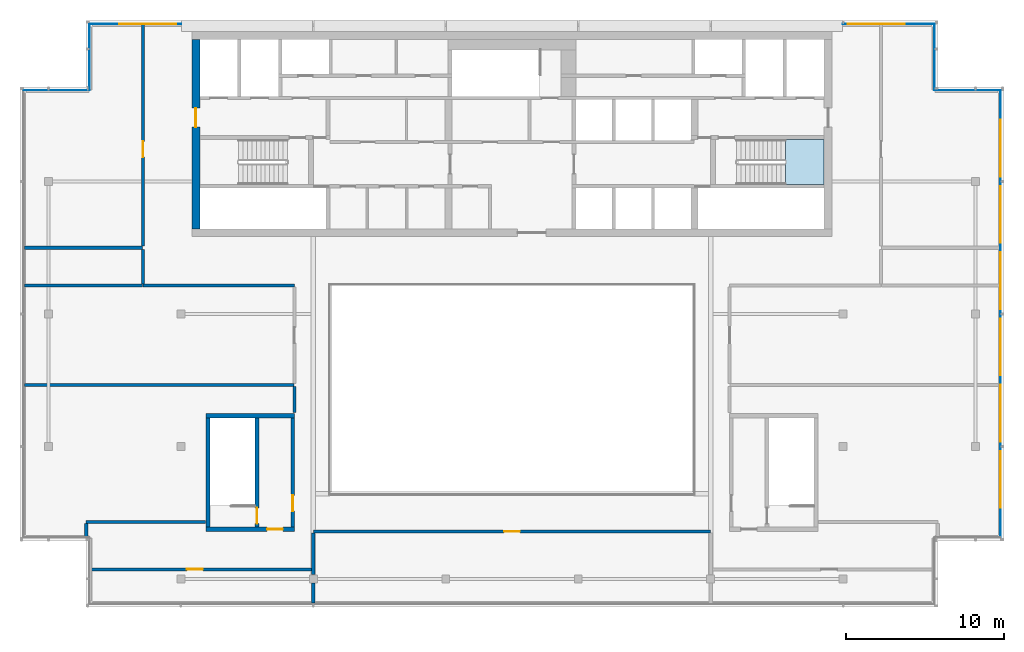
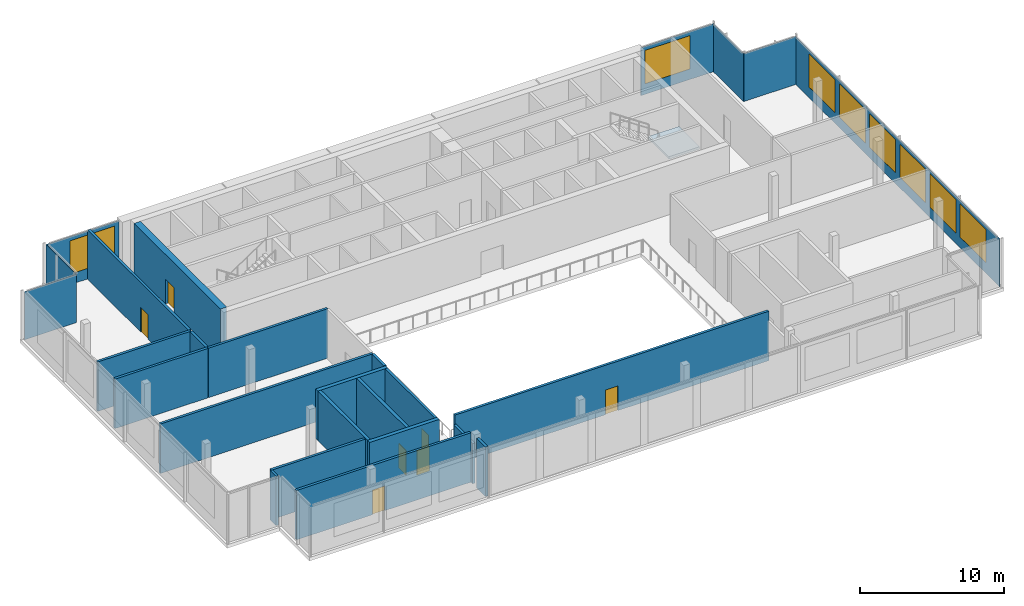
# One storey, part 10 of 14: 19 walls, 8 windows, 7 doors, 7 plates, 1 slab, 15 openings, 7 elements without a shape of their own.
"""IFC4 building model written with IfcOpenShell, lengths in metres."""

from ifc_helpers import new_model, si_unit, direction, frame, frame_2d, origin, place, context, subcontext, project, spatial, polyline, rectangle, outline, extrude, material, layer, layer_set, type_object, element, fill, aggregate, save


model = new_model("IFC4")

# Units and contexts
model_context = context("Model", 3, precision=1e-05, world=origin(), true_north=direction((0.0, 1.0)))
body_context = subcontext(model_context, "Body", "Model", "MODEL_VIEW")
ifc_project = project(units=[si_unit("LENGTHUNIT", "METRE"), si_unit("AREAUNIT", "SQUARE_METRE"), si_unit("VOLUMEUNIT", "CUBIC_METRE"), si_unit("PLANEANGLEUNIT", "RADIAN"), si_unit("MASSUNIT", "GRAM", prefix="KILO")], contexts=[model_context])

# Site, building, storey
site_placement = place(None, origin())
site = spatial("IfcSite", under=ifc_project, at=site_placement, CompositionType="ELEMENT")
building_placement = place(site_placement, origin())
building = spatial("IfcBuilding", under=site, at=building_placement, Name="Saffron Gate Tower", CompositionType="ELEMENT")
storey_placement = place(building_placement, frame((0.0, 0.0, 310.35009765625)))
storey = spatial("IfcBuildingStorey", under=building, at=storey_placement, Name="L76", CompositionType="ELEMENT", Elevation=310.35009765625)

# Curtain wall, plate, openings, windows
ifc_material_1 = material(Name="Aluminium, bronze anodised", Category="aluminium")
curtain_wall_type = type_object("IfcCurtainWallType", Name="CWS6 curtain wall tall storeys", PredefinedType="NOTDEFINED", material=ifc_material_1)
curtain_wall_1_placement = place(storey_placement, origin())
curtain_wall_1 = element("IfcCurtainWall", 1, at=curtain_wall_1_placement, inside=storey, type_object=curtain_wall_type, Name="CWS6 run 4", PredefinedType="NOTDEFINED")
ifc_material_2 = material(Name="Fritted bronze-tinted laminated glass", Category="glass")
ifc_layer_1 = layer(ifc_material_2, 0.028076171875)
ifc_layer_set_1 = layer_set([ifc_layer_1], Name="CWS6 fixed glass")
plate_type = type_object("IfcPlateType", Name="CWS6 fixed glass", PredefinedType="CURTAIN_PANEL", material=ifc_layer_set_1)
plate_1_placement = place(storey_placement, frame((118.5859375, 42.827880859375, 0.0), z_axis=(0.0, 0.0, 1.0), x_axis=(0.0, 1.0, 0.0)))
plate_1 = element("IfcPlate", 2, at=plate_1_placement, type_object=plate_type, Name="CWS6 glass panel", PredefinedType="CURTAIN_PANEL", context=body_context, shape_type="SweptSolid", body=[
    extrude(rectangle(XDim=28.34423828125, YDim=0.028076171875, at=frame_2d((14.172119140625, 0.0))), origin(), (0.0, 0.0, 1.0), 4.079833984375),
])
opening_1_placement = place(plate_1_placement, frame((1.8720703125, 0.0, 0.89990234375)))
opening_1 = element("IfcOpeningElement", 3, at=opening_1_placement, cuts=plate_1, Name="Opening W3", PredefinedType="OPENING", context=body_context, shape_type="SweptSolid", body=[
    extrude(rectangle(XDim=3.60009765625, YDim=2.830078125, at=frame_2d((1.800048828125, 1.4150390625))), frame((0.0, 0.02392578125, 0.0), z_axis=(0.0, -1.0, 0.0), x_axis=(1.0, 0.0, 0.0)), (0.0, 0.0, 1.0), 0.048095703125),
])
opening_2_placement = place(plate_1_placement, frame((6.072021484375, 0.0, 0.89990234375)))
opening_2 = element("IfcOpeningElement", 4, at=opening_2_placement, cuts=plate_1, Name="Opening W3", PredefinedType="OPENING", context=body_context, shape_type="SweptSolid", body=[
    extrude(rectangle(XDim=3.60009765625, YDim=2.830078125, at=frame_2d((1.800048828125, 1.4150390625))), frame((0.0, 0.02392578125, 0.0), z_axis=(0.0, -1.0, 0.0), x_axis=(1.0, 0.0, 0.0)), (0.0, 0.0, 1.0), 0.048095703125),
])
opening_3_placement = place(plate_1_placement, frame((10.27197265625, 0.0, 0.89990234375)))
opening_3 = element("IfcOpeningElement", 5, at=opening_3_placement, cuts=plate_1, Name="Opening W3", PredefinedType="OPENING", context=body_context, shape_type="SweptSolid", body=[
    extrude(rectangle(XDim=3.60009765625, YDim=2.830078125, at=frame_2d((1.800048828125, 1.4150390625))), frame((0.0, 0.02392578125, 0.0), z_axis=(0.0, -1.0, 0.0), x_axis=(1.0, 0.0, 0.0)), (0.0, 0.0, 1.0), 0.048095703125),
])
opening_4_placement = place(plate_1_placement, frame((14.471923828125, 0.0, 0.89990234375)))
opening_4 = element("IfcOpeningElement", 6, at=opening_4_placement, cuts=plate_1, Name="Opening W3", PredefinedType="OPENING", context=body_context, shape_type="SweptSolid", body=[
    extrude(rectangle(XDim=3.60009765625, YDim=2.830078125, at=frame_2d((1.800048828125, 1.4150390625))), frame((0.0, 0.02392578125, 0.0), z_axis=(0.0, -1.0, 0.0), x_axis=(1.0, 0.0, 0.0)), (0.0, 0.0, 1.0), 0.048095703125),
])
opening_5_placement = place(plate_1_placement, frame((18.672119140625, 0.0, 0.89990234375)))
opening_5 = element("IfcOpeningElement", 7, at=opening_5_placement, cuts=plate_1, Name="Opening W3", PredefinedType="OPENING", context=body_context, shape_type="SweptSolid", body=[
    extrude(rectangle(XDim=3.60009765625, YDim=2.830078125, at=frame_2d((1.800048828125, 1.4150390625))), frame((0.0, 0.02392578125, 0.0), z_axis=(0.0, -1.0, 0.0), x_axis=(1.0, 0.0, 0.0)), (0.0, 0.0, 1.0), 0.048095703125),
])
opening_6_placement = place(plate_1_placement, frame((22.8720703125, 0.0, 0.89990234375)))
opening_6 = element("IfcOpeningElement", 8, at=opening_6_placement, cuts=plate_1, Name="Opening W3", PredefinedType="OPENING", context=body_context, shape_type="SweptSolid", body=[
    extrude(rectangle(XDim=3.60009765625, YDim=2.830078125, at=frame_2d((1.800048828125, 1.4150390625))), frame((0.0, 0.02392578125, 0.0), z_axis=(0.0, -1.0, 0.0), x_axis=(1.0, 0.0, 0.0)), (0.0, 0.0, 1.0), 0.048095703125),
])
ifc_material_3 = material(Name="Fritted bronze-tinted laminated glass in bronze frame", Category="glass")
ifc_layer_2 = layer(ifc_material_3, 0.06005859375)
ifc_layer_set_2 = layer_set([ifc_layer_2], Name="W3 operable panel 3600x2830")
window_type = type_object("IfcWindowType", Name="W3 operable panel 3600x2830", PartitioningType="DOUBLE_PANEL_HORIZONTAL", PredefinedType="WINDOW", material=ifc_layer_set_2)
window_1_placement = place(opening_1_placement, origin())
window_1 = element("IfcWindow", 9, at=window_1_placement, type_object=window_type, Name="W3 operable panel", OverallHeight=2.830078125, OverallWidth=3.60009765625, PartitioningType="SINGLE_PANEL", PredefinedType="WINDOW", context=body_context, shape_type="SweptSolid", body=[
    extrude(rectangle(XDim=3.60009765625, YDim=2.830078125, at=frame_2d((1.800048828125, 1.4150390625))), frame((0.0, 0.013671875, 0.0), z_axis=(0.0, -1.0, 0.0), x_axis=(1.0, 0.0, 0.0)), (0.0, 0.0, 1.0), 0.027587890625),
])
fill(opening_1, window_1)
window_2_placement = place(opening_2_placement, origin())
window_2 = element("IfcWindow", 10, at=window_2_placement, type_object=window_type, Name="W3 operable panel", OverallHeight=2.830078125, OverallWidth=3.60009765625, PartitioningType="SINGLE_PANEL", PredefinedType="WINDOW", context=body_context, shape_type="SweptSolid", body=[
    extrude(rectangle(XDim=3.60009765625, YDim=2.830078125, at=frame_2d((1.800048828125, 1.4150390625))), frame((0.0, 0.013671875, 0.0), z_axis=(0.0, -1.0, 0.0), x_axis=(1.0, 0.0, 0.0)), (0.0, 0.0, 1.0), 0.027587890625),
])
fill(opening_2, window_2)
window_3_placement = place(opening_3_placement, origin())
window_3 = element("IfcWindow", 11, at=window_3_placement, type_object=window_type, Name="W3 operable panel", OverallHeight=2.830078125, OverallWidth=3.60009765625, PartitioningType="SINGLE_PANEL", PredefinedType="WINDOW", context=body_context, shape_type="SweptSolid", body=[
    extrude(rectangle(XDim=3.60009765625, YDim=2.830078125, at=frame_2d((1.800048828125, 1.4150390625))), frame((0.0, 0.013671875, 0.0), z_axis=(0.0, -1.0, 0.0), x_axis=(1.0, 0.0, 0.0)), (0.0, 0.0, 1.0), 0.027587890625),
])
fill(opening_3, window_3)
window_4_placement = place(opening_4_placement, origin())
window_4 = element("IfcWindow", 12, at=window_4_placement, type_object=window_type, Name="W3 operable panel", OverallHeight=2.830078125, OverallWidth=3.60009765625, PartitioningType="SINGLE_PANEL", PredefinedType="WINDOW", context=body_context, shape_type="SweptSolid", body=[
    extrude(rectangle(XDim=3.60009765625, YDim=2.830078125, at=frame_2d((1.800048828125, 1.4150390625))), frame((0.0, 0.013671875, 0.0), z_axis=(0.0, -1.0, 0.0), x_axis=(1.0, 0.0, 0.0)), (0.0, 0.0, 1.0), 0.027587890625),
])
fill(opening_4, window_4)
window_5_placement = place(opening_5_placement, origin())
window_5 = element("IfcWindow", 13, at=window_5_placement, type_object=window_type, Name="W3 operable panel", OverallHeight=2.830078125, OverallWidth=3.60009765625, PartitioningType="SINGLE_PANEL", PredefinedType="WINDOW", context=body_context, shape_type="SweptSolid", body=[
    extrude(rectangle(XDim=3.60009765625, YDim=2.830078125, at=frame_2d((1.800048828125, 1.4150390625))), frame((0.0, 0.013671875, 0.0), z_axis=(0.0, -1.0, 0.0), x_axis=(1.0, 0.0, 0.0)), (0.0, 0.0, 1.0), 0.027587890625),
])
fill(opening_5, window_5)
window_6_placement = place(opening_6_placement, origin())
window_6 = element("IfcWindow", 14, at=window_6_placement, type_object=window_type, Name="W3 operable panel", OverallHeight=2.830078125, OverallWidth=3.60009765625, PartitioningType="SINGLE_PANEL", PredefinedType="WINDOW", context=body_context, shape_type="SweptSolid", body=[
    extrude(rectangle(XDim=3.60009765625, YDim=2.830078125, at=frame_2d((1.800048828125, 1.4150390625))), frame((0.0, 0.013671875, 0.0), z_axis=(0.0, -1.0, 0.0), x_axis=(1.0, 0.0, 0.0)), (0.0, 0.0, 1.0), 0.027587890625),
])
fill(opening_6, window_6)
aggregate(curtain_wall_1, [plate_1, window_1, window_2, window_3, window_4, window_5, window_6])

# Curtain wall, plate
curtain_wall_2_placement = place(storey_placement, origin())
curtain_wall_2 = element("IfcCurtainWall", 15, at=curtain_wall_2_placement, inside=storey, type_object=curtain_wall_type, Name="CWS6 run 5", PredefinedType="NOTDEFINED")
plate_2_placement = place(storey_placement, frame((118.572021484375, 71.18603515625, 0.0), z_axis=(0.0, 0.0, 1.0), x_axis=(-1.0, 0.0, 0.0)))
plate_2 = element("IfcPlate", 16, at=plate_2_placement, type_object=plate_type, Name="CWS6 glass panel", PredefinedType="CURTAIN_PANEL", context=body_context, shape_type="SweptSolid", body=[
    extrude(rectangle(XDim=4.172119140625, YDim=0.028076171875, at=frame_2d((2.0859375, 0.0))), origin(), (0.0, 0.0, 1.0), 4.079833984375),
])
aggregate(curtain_wall_2, [plate_2])

curtain_wall_3_placement = place(storey_placement, origin())
curtain_wall_3 = element("IfcCurtainWall", 17, at=curtain_wall_3_placement, inside=storey, type_object=curtain_wall_type, Name="CWS6 run 6", PredefinedType="NOTDEFINED")
plate_3_placement = place(storey_placement, frame((114.385986328125, 71.199951171875, 0.0), z_axis=(0.0, 0.0, 1.0), x_axis=(0.0, 1.0, 0.0)))
plate_3 = element("IfcPlate", 18, at=plate_3_placement, type_object=plate_type, Name="CWS6 glass panel", PredefinedType="CURTAIN_PANEL", context=body_context, shape_type="SweptSolid", body=[
    extrude(rectangle(XDim=4.172119140625, YDim=0.028076171875, at=frame_2d((2.0859375, 0.0))), origin(), (0.0, 0.0, 1.0), 4.079833984375),
])
aggregate(curtain_wall_3, [plate_3])

# Curtain wall, plates, openings, windows
curtain_wall_4_placement = place(storey_placement, origin())
curtain_wall_4 = element("IfcCurtainWall", 19, at=curtain_wall_4_placement, inside=storey, type_object=curtain_wall_type, Name="CWS6 run 7", PredefinedType="NOTDEFINED")
plate_4_placement = place(storey_placement, frame((114.3720703125, 75.385986328125, 0.0), z_axis=(0.0, 0.0, 1.0), x_axis=(-1.0, 0.0, 0.0)))
plate_4 = element("IfcPlate", 20, at=plate_4_placement, type_object=plate_type, Name="CWS6 glass panel", PredefinedType="CURTAIN_PANEL", context=body_context, shape_type="SweptSolid", body=[
    extrude(rectangle(XDim=5.81201171875, YDim=0.028076171875, at=frame_2d((2.906005859375, 0.0))), origin(), (0.0, 0.0, 1.0), 4.079833984375),
])
opening_7_placement = place(plate_4_placement, frame((1.8720703125, 0.0, 0.89990234375)))
opening_7 = element("IfcOpeningElement", 21, at=opening_7_placement, cuts=plate_4, Name="Opening W3", PredefinedType="OPENING", context=body_context, shape_type="SweptSolid", body=[
    extrude(rectangle(XDim=3.60009765625, YDim=2.830078125, at=frame_2d((1.800048828125, 1.4150390625))), frame((0.0, 0.02392578125, 0.0), z_axis=(0.0, -1.0, 0.0), x_axis=(1.0, 0.0, 0.0)), (0.0, 0.0, 1.0), 0.048095703125),
])
window_7_placement = place(opening_7_placement, origin())
window_7 = element("IfcWindow", 22, at=window_7_placement, type_object=window_type, Name="W3 operable panel", OverallHeight=2.830078125, OverallWidth=3.60009765625, PartitioningType="SINGLE_PANEL", PredefinedType="WINDOW", context=body_context, shape_type="SweptSolid", body=[
    extrude(rectangle(XDim=3.60009765625, YDim=2.830078125, at=frame_2d((1.800048828125, 1.4150390625))), frame((0.0, 0.013671875, 0.0), z_axis=(0.0, -1.0, 0.0), x_axis=(1.0, 0.0, 0.0)), (0.0, 0.0, 1.0), 0.027587890625),
])
fill(opening_7, window_7)
plate_5_placement = place(storey_placement, frame((66.639892578125, 75.385986328125, 0.0), z_axis=(0.0, 0.0, 1.0), x_axis=(-1.0, 0.0, 0.0)))
plate_5 = element("IfcPlate", 23, at=plate_5_placement, type_object=plate_type, Name="CWS6 glass panel", PredefinedType="CURTAIN_PANEL", context=body_context, shape_type="SweptSolid", body=[
    extrude(rectangle(XDim=5.81201171875, YDim=0.028076171875, at=frame_2d((2.906005859375, 0.0))), origin(), (0.0, 0.0, 1.0), 4.079833984375),
])
opening_8_placement = place(plate_5_placement, frame((0.340087890625, 0.0, 0.89990234375)))
opening_8 = element("IfcOpeningElement", 24, at=opening_8_placement, cuts=plate_5, Name="Opening W3", PredefinedType="OPENING", context=body_context, shape_type="SweptSolid", body=[
    extrude(rectangle(XDim=3.60009765625, YDim=2.830078125, at=frame_2d((1.800048828125, 1.4150390625))), frame((0.0, 0.02392578125, 0.0), z_axis=(0.0, -1.0, 0.0), x_axis=(1.0, 0.0, 0.0)), (0.0, 0.0, 1.0), 0.048095703125),
])
window_8_placement = place(opening_8_placement, origin())
window_8 = element("IfcWindow", 25, at=window_8_placement, type_object=window_type, Name="W3 operable panel", OverallHeight=2.830078125, OverallWidth=3.60009765625, PartitioningType="SINGLE_PANEL", PredefinedType="WINDOW", context=body_context, shape_type="SweptSolid", body=[
    extrude(rectangle(XDim=3.60009765625, YDim=2.830078125, at=frame_2d((1.800048828125, 1.4150390625))), frame((0.0, 0.013671875, 0.0), z_axis=(0.0, -1.0, 0.0), x_axis=(1.0, 0.0, 0.0)), (0.0, 0.0, 1.0), 0.027587890625),
])
fill(opening_8, window_8)
aggregate(curtain_wall_4, [plate_4, plate_5, window_7, window_8])

# Curtain wall, plate
curtain_wall_5_placement = place(storey_placement, origin())
curtain_wall_5 = element("IfcCurtainWall", 26, at=curtain_wall_5_placement, inside=storey, type_object=curtain_wall_type, Name="CWS6 run 8", PredefinedType="NOTDEFINED")
plate_6_placement = place(storey_placement, frame((60.81396484375, 75.3720703125, 0.0), z_axis=(0.0, 0.0, 1.0), x_axis=(0.0, -1.0, 0.0)))
plate_6 = element("IfcPlate", 27, at=plate_6_placement, type_object=plate_type, Name="CWS6 glass panel", PredefinedType="CURTAIN_PANEL", context=body_context, shape_type="SweptSolid", body=[
    extrude(rectangle(XDim=4.172119140625, YDim=0.028076171875, at=frame_2d((2.0859375, 0.0))), origin(), (0.0, 0.0, 1.0), 4.079833984375),
])
aggregate(curtain_wall_5, [plate_6])

curtain_wall_6_placement = place(storey_placement, origin())
curtain_wall_6 = element("IfcCurtainWall", 28, at=curtain_wall_6_placement, inside=storey, type_object=curtain_wall_type, Name="CWS6 run 9", PredefinedType="NOTDEFINED")
plate_7_placement = place(storey_placement, frame((60.800048828125, 71.18603515625, 0.0), z_axis=(0.0, 0.0, 1.0), x_axis=(-1.0, 0.0, 0.0)))
plate_7 = element("IfcPlate", 29, at=plate_7_placement, type_object=plate_type, Name="CWS6 glass panel", PredefinedType="CURTAIN_PANEL", context=body_context, shape_type="SweptSolid", body=[
    extrude(rectangle(XDim=4.172119140625, YDim=0.028076171875, at=frame_2d((2.0859375, 0.0))), origin(), (0.0, 0.0, 1.0), 4.079833984375),
])
aggregate(curtain_wall_6, [plate_7])

# Stair, slab
ifc_material_4 = material(Name="Concrete C40", Category="concrete")
stair_type = type_object("IfcStairType", Name="ST6 Stair 1350 wide, 24 risers of 188", PredefinedType="HALF_TURN_STAIR", material=ifc_material_4)
stair_placement = place(storey_placement, origin())
stair = element("IfcStair", 30, at=stair_placement, inside=storey, type_object=stair_type, Name="L76 Exit stair B", PredefinedType="HALF_TURN_STAIR")
ifc_layer_3 = layer(ifc_material_4, 0.199951171875)
ifc_layer_set_3 = layer_set([ifc_layer_3], Name="SL1 Stair landing 200")
slab_type = type_object("IfcSlabType", Name="SL1 Stair landing 200", PredefinedType="LANDING", material=ifc_layer_set_3)
slab_placement = place(storey_placement, frame((0.0, 0.0, 2.0498046875)))
slab = element("IfcSlab", 31, at=slab_placement, type_object=slab_type, Name="ST-B landing 1", PredefinedType="LANDING", context=body_context, shape_type="SweptSolid", body=[
    extrude(outline(polyline([(104.929931640625, 65.199951171875), (107.39990234375, 65.199951171875), (107.39990234375, 68.050048828125), (104.929931640625, 68.050048828125), (104.929931640625, 65.199951171875)])), origin(), (0.0, 0.0, 1.0), 0.2001953125),
])
aggregate(stair, [slab])

# Wall, opening, door
ifc_material_5 = material(Name="Gypsum board partition on steel studs", Category="steel")
ifc_layer_4 = layer(ifc_material_5, 0.199951171875)
ifc_layer_set_4 = layer_set([ifc_layer_4], Name="CW10 Core partition 200")
wall_type_1 = type_object("IfcWallType", Name="CW10 Core partition 200", PredefinedType="PARTITIONING", material=ifc_layer_set_4)
wall_1_placement = place(storey_placement, frame((73.699951171875, 43.5, 0.0), z_axis=(0.0, 0.0, 1.0), x_axis=(0.0, 1.0, 0.0)))
wall_1 = element("IfcWall", 32, at=wall_1_placement, inside=storey, type_object=wall_type_1, Name="Wall CW10-L76-D-4", PredefinedType="PARTITIONING", context=body_context, shape_type="SweptSolid", body=[
    extrude(rectangle(XDim=6.89990234375, YDim=0.199951171875, at=frame_2d((3.449951171875, 0.0))), origin(), (0.0, 0.0, 1.0), 4.199951171875),
])
opening_9_placement = place(wall_1_placement, frame((1.0, 0.0, 0.0)))
opening_9 = element("IfcOpeningElement", 33, at=opening_9_placement, cuts=wall_1, Name="Opening CR-19", PredefinedType="OPENING", context=body_context, shape_type="SweptSolid", body=[
    extrude(rectangle(XDim=1.0, YDim=2.10009765625, at=frame_2d((0.5, 1.050048828125))), frame((0.0, 0.10986328125, 0.0), z_axis=(0.0, -1.0, 0.0), x_axis=(1.0, 0.0, 0.0)), (0.0, 0.0, 1.0), 0.219970703125),
])
ifc_material_6 = material(Name="Steel fire door set", Category="steel")
door_type_1 = type_object("IfcDoorType", Name="CD4 Lobby door 1000x2100 EI 120", OperationType="NOTDEFINED", PredefinedType="DOOR", material=ifc_material_6)
door_1_placement = place(opening_9_placement, origin())
door_1 = element("IfcDoor", 34, at=door_1_placement, inside=storey, type_object=door_type_1, Name="DOOR CR-19", OperationType="SINGLE_SWING_RIGHT", OverallHeight=2.10009765625, OverallWidth=1.0, PredefinedType="DOOR", context=body_context, shape_type="SweptSolid", body=[
    extrude(rectangle(XDim=1.0, YDim=2.10009765625, at=frame_2d((0.5, 1.050048828125))), frame((0.0, 0.02490234375, 0.0), z_axis=(0.0, -1.0, 0.0), x_axis=(1.0, 0.0, 0.0)), (0.0, 0.0, 1.0), 0.050048828125),
])
fill(opening_9, door_1)

ifc_material_7 = material(Name="Concrete C50", Category="concrete")
ifc_layer_5 = layer(ifc_material_7, 0.5)
ifc_layer_set_5 = layer_set([ifc_layer_5], Name="CW22 RC core wall 500 C50")
wall_type_2 = type_object("IfcWallType", Name="CW22 RC core wall 500 C50", PredefinedType="SOLIDWALL", material=ifc_layer_set_5)
wall_2_placement = place(storey_placement, frame((67.550048828125, 62.39990234375, 0.0), z_axis=(0.0, 0.0, 1.0), x_axis=(0.0, 1.0, 0.0)))
wall_2 = element("IfcWall", 35, at=wall_2_placement, inside=storey, type_object=wall_type_2, Name="Wall CW22-L76-3", PredefinedType="SOLIDWALL", context=body_context, shape_type="SweptSolid", body=[
    extrude(rectangle(XDim=12.0, YDim=0.5, at=frame_2d((6.0, 0.0))), origin(), (0.0, 0.0, 1.0), 4.199951171875),
])
opening_10_placement = place(wall_2_placement, frame((6.449951171875, 0.0, 0.0)))
opening_10 = element("IfcOpeningElement", 36, at=opening_10_placement, cuts=wall_2, Name="Opening CR-10", PredefinedType="OPENING", context=body_context, shape_type="SweptSolid", body=[
    extrude(rectangle(XDim=1.199951171875, YDim=2.10009765625, at=frame_2d((0.60009765625, 1.050048828125))), frame((0.0, 0.260009765625, 0.0), z_axis=(0.0, -1.0, 0.0), x_axis=(1.0, 0.0, 0.0)), (0.0, 0.0, 1.0), 0.52001953125),
])
door_type_2 = type_object("IfcDoorType", Name="CD7 Core entrance door 1200x2100 EI 120", OperationType="NOTDEFINED", PredefinedType="DOOR", material=ifc_material_6)
door_2_placement = place(opening_10_placement, origin())
door_2 = element("IfcDoor", 37, at=door_2_placement, inside=storey, type_object=door_type_2, Name="DOOR CR-10", OperationType="SINGLE_SWING_LEFT", OverallHeight=2.10009765625, OverallWidth=1.199951171875, PredefinedType="DOOR", context=body_context, shape_type="SweptSolid", body=[
    extrude(rectangle(XDim=1.199951171875, YDim=2.10009765625, at=frame_2d((0.60009765625, 1.050048828125))), frame((0.0, 0.02490234375, 0.0), z_axis=(0.0, -1.0, 0.0), x_axis=(1.0, 0.0, 0.0)), (0.0, 0.0, 1.0), 0.050048828125),
])
fill(opening_10, door_2)

# Wall
ifc_layer_6 = layer(ifc_material_7, 0.25)
ifc_layer_set_6 = layer_set([ifc_layer_6], Name="CW23 RC core wall 250 C50")
wall_type_3 = type_object("IfcWallType", Name="CW23 RC core wall 250 C50", PredefinedType="SOLIDWALL", material=ifc_layer_set_6)
wall_3_placement = place(storey_placement, frame((68.324951171875, 43.5, 0.0), z_axis=(0.0, 0.0, 1.0), x_axis=(0.0, 1.0, 0.0)))
element("IfcWall", 38, at=wall_3_placement, inside=storey, type_object=wall_type_3, Name="Wall CW23-L76-D-2", PredefinedType="SOLIDWALL", context=body_context, shape_type="SweptSolid", body=[
    extrude(rectangle(XDim=6.89990234375, YDim=0.25, at=frame_2d((3.449951171875, 0.0))), origin(), (0.0, 0.0, 1.0), 4.199951171875),
])

# Wall, opening, door
wall_4_placement = place(storey_placement, frame((71.425048828125, 43.5, 0.0), z_axis=(0.0, 0.0, 1.0), x_axis=(0.0, 1.0, 0.0)))
wall_4 = element("IfcWall", 39, at=wall_4_placement, inside=storey, type_object=wall_type_3, Name="Wall CW23-L76-D-3", PredefinedType="SOLIDWALL", context=body_context, shape_type="SweptSolid", body=[
    extrude(rectangle(XDim=6.89990234375, YDim=0.25, at=frame_2d((3.449951171875, 0.0))), origin(), (0.0, 0.0, 1.0), 4.199951171875),
])
opening_11_placement = place(wall_4_placement, frame((0.199951171875, 0.0, 0.0)))
opening_11 = element("IfcOpeningElement", 40, at=opening_11_placement, cuts=wall_4, Name="Opening CR-20", PredefinedType="OPENING", context=body_context, shape_type="SweptSolid", body=[
    extrude(rectangle(XDim=1.0, YDim=2.10009765625, at=frame_2d((0.5, 1.050048828125))), frame((0.0, 0.135009765625, 0.0), z_axis=(0.0, -1.0, 0.0), x_axis=(1.0, 0.0, 0.0)), (0.0, 0.0, 1.0), 0.27001953125),
])
door_type_3 = type_object("IfcDoorType", Name="CD5 Stair door 1000x2100 EI 120", OperationType="NOTDEFINED", PredefinedType="DOOR", material=ifc_material_6)
door_3_placement = place(opening_11_placement, origin())
door_3 = element("IfcDoor", 41, at=door_3_placement, inside=storey, type_object=door_type_3, Name="DOOR CR-20", OperationType="SINGLE_SWING_LEFT", OverallHeight=2.10009765625, OverallWidth=1.0, PredefinedType="DOOR", context=body_context, shape_type="SweptSolid", body=[
    extrude(rectangle(XDim=1.0, YDim=2.10009765625, at=frame_2d((0.5, 1.050048828125))), frame((0.0, 0.02490234375, 0.0), z_axis=(0.0, -1.0, 0.0), x_axis=(1.0, 0.0, 0.0)), (0.0, 0.0, 1.0), 0.050048828125),
])
fill(opening_11, door_3)

ifc_layer_7 = layer(ifc_material_7, 0.300048828125)
ifc_layer_set_7 = layer_set([ifc_layer_7], Name="CW26 RC core wall 300 C50")
wall_type_4 = type_object("IfcWallType", Name="CW26 RC core wall 300 C50", PredefinedType="SOLIDWALL", material=ifc_layer_set_7)
wall_5_placement = place(storey_placement, frame((68.199951171875, 43.35009765625, 0.0), z_axis=(0.0, 0.0, 1.0), x_axis=(1.0, 0.0, 0.0)))
wall_5 = element("IfcWall", 42, at=wall_5_placement, inside=storey, type_object=wall_type_4, Name="Wall CW26-L76-D-1", PredefinedType="SOLIDWALL", context=body_context, shape_type="SweptSolid", body=[
    extrude(rectangle(XDim=5.60009765625, YDim=0.300048828125, at=frame_2d((2.800048828125, 0.0))), origin(), (0.0, 0.0, 1.0), 4.199951171875),
])
opening_12_placement = place(wall_5_placement, frame((3.875, 0.0, 0.0)))
opening_12 = element("IfcOpeningElement", 43, at=opening_12_placement, cuts=wall_5, Name="Opening CR-18", PredefinedType="OPENING", context=body_context, shape_type="SweptSolid", body=[
    extrude(rectangle(XDim=1.0, YDim=2.10009765625, at=frame_2d((0.5, 1.050048828125))), frame((0.0, 0.16015625, 0.0), z_axis=(0.0, -1.0, 0.0), x_axis=(1.0, 0.0, 0.0)), (0.0, 0.0, 1.0), 0.320068359375),
])
door_4_placement = place(opening_12_placement, origin())
door_4 = element("IfcDoor", 44, at=door_4_placement, inside=storey, type_object=door_type_1, Name="DOOR CR-18", OperationType="SINGLE_SWING_RIGHT", OverallHeight=2.10009765625, OverallWidth=1.0, PredefinedType="DOOR", context=body_context, shape_type="SweptSolid", body=[
    extrude(rectangle(XDim=1.0, YDim=2.10009765625, at=frame_2d((0.5, 1.050048828125))), frame((0.0, 0.02490234375, 0.0), z_axis=(0.0, -1.0, 0.0), x_axis=(1.0, 0.0, 0.0)), (0.0, 0.0, 1.0), 0.050048828125),
])
fill(opening_12, door_4)

# Wall
wall_6_placement = place(storey_placement, frame((68.199951171875, 50.550048828125, 0.0), z_axis=(0.0, 0.0, 1.0), x_axis=(1.0, 0.0, 0.0)))
element("IfcWall", 45, at=wall_6_placement, inside=storey, type_object=wall_type_4, Name="Wall CW26-L76-D-5", PredefinedType="SOLIDWALL", context=body_context, shape_type="SweptSolid", body=[
    extrude(rectangle(XDim=5.60009765625, YDim=0.300048828125, at=frame_2d((2.800048828125, 0.0))), origin(), (0.0, 0.0, 1.0), 4.199951171875),
])

# Wall, opening, door
ifc_material_8 = material(Name="Clay brick masonry, rendered", Category="masonry")
ifc_layer_8 = layer(ifc_material_8, 0.199951171875)
ifc_layer_set_8 = layer_set([ifc_layer_8], Name="PW4 Plant room wall 200")
wall_type_5 = type_object("IfcWallType", Name="PW4 Plant room wall 200", PredefinedType="PARTITIONING", material=ifc_layer_set_8)
wall_7_placement = place(storey_placement, frame((74.89990234375, 40.800048828125, 0.0), z_axis=(0.0, 0.0, 1.0), x_axis=(-1.0, 0.0, 0.0)))
wall_7 = element("IfcWall", 46, at=wall_7_placement, inside=storey, type_object=wall_type_5, Name="Wall CR-1", PredefinedType="PARTITIONING", context=body_context, shape_type="SweptSolid", body=[
    extrude(rectangle(XDim=14.02001953125, YDim=0.199951171875, at=frame_2d((7.010009765625, 0.0))), origin(), (0.0, 0.0, 1.0), 4.199951171875),
])
opening_13_placement = place(wall_7_placement, frame((6.909912109375, 0.0, 0.0)))
opening_13 = element("IfcOpeningElement", 47, at=opening_13_placement, cuts=wall_7, Name="Opening CR-6", PredefinedType="OPENING", context=body_context, shape_type="SweptSolid", body=[
    extrude(rectangle(XDim=1.0, YDim=2.10009765625, at=frame_2d((0.5, 1.050048828125))), frame((0.0, 0.10986328125, 0.0), z_axis=(0.0, -1.0, 0.0), x_axis=(1.0, 0.0, 0.0)), (0.0, 0.0, 1.0), 0.219970703125),
])
door_type_4 = type_object("IfcDoorType", Name="PD1 Plant room door 1000x2100", OperationType="NOTDEFINED", PredefinedType="DOOR", material=ifc_material_6)
door_5_placement = place(opening_13_placement, origin())
door_5 = element("IfcDoor", 48, at=door_5_placement, inside=storey, type_object=door_type_4, Name="Door CR-6", OperationType="SINGLE_SWING_LEFT", OverallHeight=2.10009765625, OverallWidth=1.0, PredefinedType="DOOR", context=body_context, shape_type="SweptSolid", body=[
    extrude(rectangle(XDim=1.0, YDim=2.10009765625, at=frame_2d((0.5, 1.050048828125))), frame((0.0, 0.02490234375, 0.0), z_axis=(0.0, -1.0, 0.0), x_axis=(1.0, 0.0, 0.0)), (0.0, 0.0, 1.0), 0.050048828125),
])
fill(opening_13, door_5)

wall_8_placement = place(storey_placement, frame((100.199951171875, 43.199951171875, 0.0), z_axis=(0.0, 0.0, 1.0), x_axis=(-1.0, 0.0, 0.0)))
wall_8 = element("IfcWall", 49, at=wall_8_placement, inside=storey, type_object=wall_type_5, Name="Wall CR-3", PredefinedType="PARTITIONING", context=body_context, shape_type="SweptSolid", body=[
    extrude(rectangle(XDim=25.199951171875, YDim=0.199951171875, at=frame_2d((12.60009765625, 0.0))), origin(), (0.0, 0.0, 1.0), 4.199951171875),
])
opening_14_placement = place(wall_8_placement, frame((12.10009765625, 0.0, 0.0)))
opening_14 = element("IfcOpeningElement", 50, at=opening_14_placement, cuts=wall_8, Name="Opening CR-4", PredefinedType="OPENING", context=body_context, shape_type="SweptSolid", body=[
    extrude(rectangle(XDim=1.0, YDim=2.10009765625, at=frame_2d((0.5, 1.050048828125))), frame((0.0, 0.10986328125, 0.0), z_axis=(0.0, -1.0, 0.0), x_axis=(1.0, 0.0, 0.0)), (0.0, 0.0, 1.0), 0.219970703125),
])
door_6_placement = place(opening_14_placement, origin())
door_6 = element("IfcDoor", 51, at=door_6_placement, inside=storey, type_object=door_type_4, Name="Door CR-4", OperationType="SINGLE_SWING_RIGHT", OverallHeight=2.10009765625, OverallWidth=1.0, PredefinedType="DOOR", context=body_context, shape_type="SweptSolid", body=[
    extrude(rectangle(XDim=1.0, YDim=2.10009765625, at=frame_2d((0.5, 1.050048828125))), frame((0.0, 0.02490234375, 0.0), z_axis=(0.0, -1.0, 0.0), x_axis=(1.0, 0.0, 0.0)), (0.0, 0.0, 1.0), 0.050048828125),
])
fill(opening_14, door_6)

# Wall
wall_9_placement = place(storey_placement, frame((64.199951171875, 58.800048828125, 0.0), z_axis=(0.0, 0.0, 1.0), x_axis=(1.0, 0.0, 0.0)))
element("IfcWall", 52, at=wall_9_placement, inside=storey, type_object=wall_type_5, Name="Wall CR-10", PredefinedType="PARTITIONING", context=body_context, shape_type="SweptSolid", body=[
    extrude(rectangle(XDim=9.60009765625, YDim=0.199951171875, at=frame_2d((4.800048828125, 0.0))), origin(), (0.0, 0.0, 1.0), 4.199951171875),
])

# Wall, opening, door
wall_10_placement = place(storey_placement, frame((64.199951171875, 61.300048828125, 0.0), z_axis=(0.0, 0.0, 1.0), x_axis=(0.0, 1.0, 0.0)))
wall_10 = element("IfcWall", 53, at=wall_10_placement, inside=storey, type_object=wall_type_5, Name="Wall CR-16", PredefinedType="PARTITIONING", context=body_context, shape_type="SweptSolid", body=[
    extrude(rectangle(XDim=14.02001953125, YDim=0.199951171875, at=frame_2d((7.010009765625, 0.0))), origin(), (0.0, 0.0, 1.0), 4.199951171875),
])
opening_15_placement = place(wall_10_placement, frame((5.64990234375, 0.0, 0.0)))
opening_15 = element("IfcOpeningElement", 54, at=opening_15_placement, cuts=wall_10, Name="Opening CR-7", PredefinedType="OPENING", context=body_context, shape_type="SweptSolid", body=[
    extrude(rectangle(XDim=1.0, YDim=2.10009765625, at=frame_2d((0.5, 1.050048828125))), frame((0.0, 0.10986328125, 0.0), z_axis=(0.0, -1.0, 0.0), x_axis=(1.0, 0.0, 0.0)), (0.0, 0.0, 1.0), 0.219970703125),
])
door_7_placement = place(opening_15_placement, origin())
door_7 = element("IfcDoor", 55, at=door_7_placement, inside=storey, type_object=door_type_4, Name="Door CR-7", OperationType="SINGLE_SWING_LEFT", OverallHeight=2.10009765625, OverallWidth=1.0, PredefinedType="DOOR", context=body_context, shape_type="SweptSolid", body=[
    extrude(rectangle(XDim=1.0, YDim=2.10009765625, at=frame_2d((0.5, 1.050048828125))), frame((0.0, 0.02490234375, 0.0), z_axis=(0.0, -1.0, 0.0), x_axis=(1.0, 0.0, 0.0)), (0.0, 0.0, 1.0), 0.050048828125),
])
fill(opening_15, door_7)

# Walls
wall_11_placement = place(storey_placement, frame((75.0, 39.929931640625, 0.0), z_axis=(0.0, 0.0, 1.0), x_axis=(0.0, -1.0, 0.0)))
element("IfcWall", 56, at=wall_11_placement, inside=storey, type_object=wall_type_5, Name="Wall CR-19", PredefinedType="PARTITIONING", context=body_context, shape_type="SweptSolid", body=[
    extrude(rectangle(XDim=1.25, YDim=0.199951171875, at=frame_2d((0.625, 0.0))), origin(), (0.0, 0.0, 1.0), 4.199951171875),
])
wall_12_placement = place(storey_placement, frame((75.0, 43.10009765625, 0.0), z_axis=(0.0, 0.0, 1.0), x_axis=(0.0, -1.0, 0.0)))
element("IfcWall", 57, at=wall_12_placement, inside=storey, type_object=wall_type_5, Name="Wall CR-20", PredefinedType="PARTITIONING", context=body_context, shape_type="SweptSolid", body=[
    extrude(rectangle(XDim=2.630126953125, YDim=0.199951171875, at=frame_2d((1.31494140625, 0.0))), origin(), (0.0, 0.0, 1.0), 3.409912109375),
])
ifc_layer_9 = layer(ifc_material_8, 0.199951171875)
ifc_layer_set_9 = layer_set([ifc_layer_9], Name="PW5 Room wall 200")
wall_type_6 = type_object("IfcWallType", Name="PW5 Room wall 200", PredefinedType="PARTITIONING", material=ifc_layer_set_9)
wall_13_placement = place(storey_placement, frame((60.60009765625, 43.800048828125, 0.0), z_axis=(0.0, 0.0, 1.0), x_axis=(1.0, 0.0, 0.0)))
element("IfcWall", 58, at=wall_13_placement, inside=storey, type_object=wall_type_6, Name="Wall CR-4", PredefinedType="PARTITIONING", context=body_context, shape_type="SweptSolid", body=[
    extrude(rectangle(XDim=7.5498046875, YDim=0.199951171875, at=frame_2d((3.77490234375, 0.0))), origin(), (0.0, 0.0, 1.0), 4.199951171875),
])
wall_14_placement = place(storey_placement, frame((56.699951171875, 52.5, 0.0), z_axis=(0.0, 0.0, 1.0), x_axis=(1.0, 0.0, 0.0)))
element("IfcWall", 59, at=wall_14_placement, inside=storey, type_object=wall_type_6, Name="Wall CR-6", PredefinedType="PARTITIONING", context=body_context, shape_type="SweptSolid", body=[
    extrude(rectangle(XDim=17.080078125, YDim=0.199951171875, at=frame_2d((8.5400390625, 0.0))), origin(), (0.0, 0.0, 1.0), 4.199951171875),
])
for number, where, z_axis, x_axis, name in (
    (60, (56.699951171875, 58.800048828125, 0.0), (0.0, 0.0, 1.0), (1.0, 0.0, 0.0), "Wall CR-8"),
    (61, (56.699951171875, 61.199951171875, 0.0), (0.0, 0.0, 1.0), (1.0, 0.0, 0.0), "Wall CR-12"),
):
    element("IfcWall", number, at=place(storey_placement, frame(where, z_axis=z_axis, x_axis=x_axis)), inside=storey, type_object=wall_type_6, Name=name, PredefinedType="PARTITIONING", context=body_context, shape_type="SweptSolid", body=[
        extrude(rectangle(XDim=7.47998046875, YDim=0.199951171875, at=frame_2d((3.739990234375, 0.0))), origin(), (0.0, 0.0, 1.0), 4.199951171875),
    ])
wall_15_placement = place(storey_placement, frame((60.60009765625, 43.699951171875, 0.0), z_axis=(0.0, 0.0, 1.0), x_axis=(0.0, -1.0, 0.0)))
element("IfcWall", 62, at=wall_15_placement, inside=storey, type_object=wall_type_6, Name="Wall CR-14", PredefinedType="PARTITIONING", context=body_context, shape_type="SweptSolid", body=[
    extrude(rectangle(XDim=0.800048828125, YDim=0.199951171875, at=frame_2d((0.39990234375, 0.0))), origin(), (0.0, 0.0, 1.0), 4.199951171875),
])
wall_16_placement = place(storey_placement, frame((64.199951171875, 61.10009765625, 0.0), z_axis=(0.0, 0.0, 1.0), x_axis=(0.0, -1.0, 0.0)))
element("IfcWall", 63, at=wall_16_placement, inside=storey, type_object=wall_type_6, Name="Wall CR-15", PredefinedType="PARTITIONING", context=body_context, shape_type="SweptSolid", body=[
    extrude(rectangle(XDim=2.2001953125, YDim=0.199951171875, at=frame_2d((1.10009765625, 0.0))), origin(), (0.0, 0.0, 1.0), 4.199951171875),
])
wall_17_placement = place(storey_placement, frame((73.800048828125, 52.39990234375, 0.0), z_axis=(0.0, 0.0, 1.0), x_axis=(0.0, -1.0, 0.0)))
element("IfcWall", 64, at=wall_17_placement, inside=storey, type_object=wall_type_6, Name="Wall CR-17", PredefinedType="PARTITIONING", context=body_context, shape_type="SweptSolid", body=[
    extrude(rectangle(XDim=1.64990234375, YDim=0.199951171875, at=frame_2d((0.824951171875, 0.0))), origin(), (0.0, 0.0, 1.0), 4.199951171875),
])

save(model, "model.ifc")
